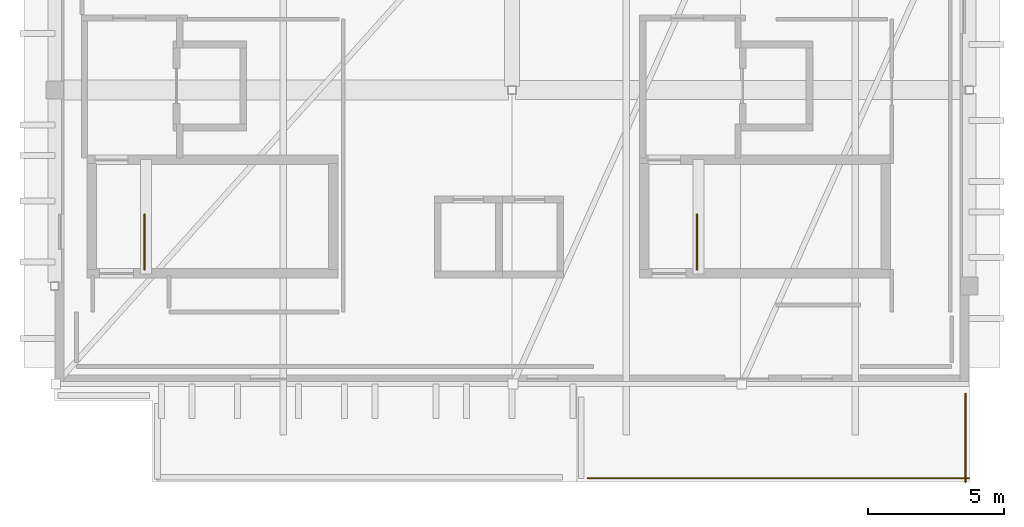
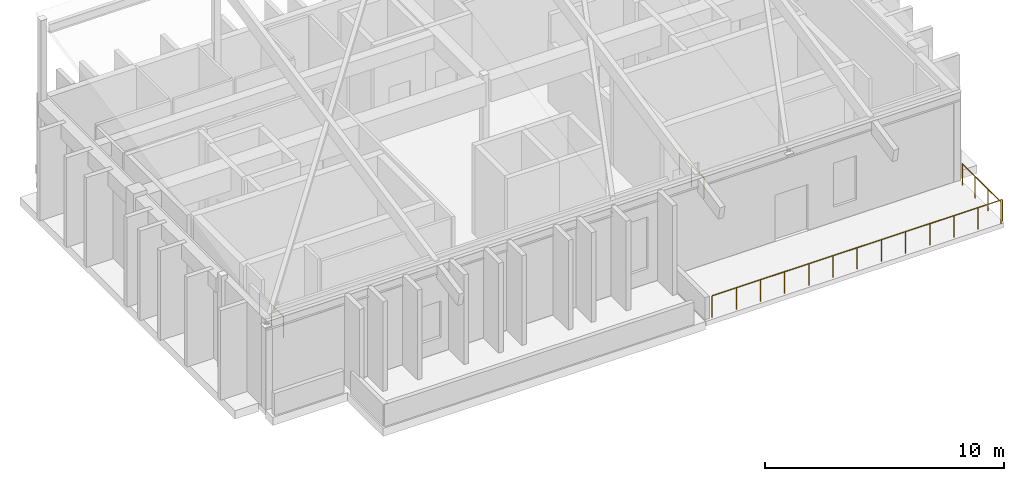
# One storey, part 5 of 5: 4 railings.
"""IFC4 building model written with IfcOpenShell, lengths in metres."""

from ifc_helpers import new_model, si_unit, direction, frame, origin, origin_2d, place, context, subcontext, project, spatial, circle, extrude, material, type_object, element, save


model = new_model("IFC4")

# Units and contexts
model_context = context("Model", 3, precision=1e-05, world=origin(), true_north=direction((0.0, 1.0)))
body_context = subcontext(model_context, "Body", "Model", "MODEL_VIEW")
ifc_project = project(units=[si_unit("LENGTHUNIT", "METRE"), si_unit("AREAUNIT", "SQUARE_METRE"), si_unit("VOLUMEUNIT", "CUBIC_METRE"), si_unit("PLANEANGLEUNIT", "RADIAN"), si_unit("MASSUNIT", "GRAM", prefix="KILO")], contexts=[model_context])

# Site, building, storey
site_placement = place(None, origin())
site = spatial("IfcSite", under=ifc_project, at=site_placement, CompositionType="ELEMENT")
building_placement = place(site_placement, origin())
building = spatial("IfcBuilding", under=site, at=building_placement, Name="Quendrovan Civic Courthouse", CompositionType="ELEMENT")
storey_placement = place(building_placement, frame((0.0, 0.0, 44.699951171875)))
storey = spatial("IfcBuildingStorey", under=building, at=storey_placement, Name="L10", CompositionType="ELEMENT", Elevation=44.699951171875)

# Railings
ifc_material_1 = material(Name="Bronze anodised aluminium", Category="aluminium")
railing_type_1 = type_object("IfcRailingType", Name="RL-EXT-GUARD1100", PredefinedType="GUARDRAIL", material=ifc_material_1)
railing_1_placement = place(storey_placement, frame((67.06005859375, 87.60009765625, 0.0)))
element("IfcRailing", 1, at=railing_1_placement, inside=storey, type_object=railing_type_1, Name="L10 Terrace Edge Guardrail 014", PredefinedType="GUARDRAIL", context=body_context, shape_type="SweptSolid", body=[
    extrude(circle(Radius=0.02392578125, at=origin_2d()), frame((0.0, 0.0, 1.09619140625), z_axis=(0.0, 1.0, 0.0), x_axis=(-1.0, 0.0, 0.0)), (0.0, 0.0, 1.0), 3.25),
    extrude(circle(Radius=0.02099609375, at=origin_2d()), origin(), (0.0, 0.0, 1.0), 1.072021484375),
    extrude(circle(Radius=0.02099609375, at=origin_2d()), frame((0.0, 1.083251953125, 0.0)), (0.0, 0.0, 1.0), 1.072021484375),
    extrude(circle(Radius=0.02099609375, at=origin_2d()), frame((0.0, 2.166748046875, 0.0)), (0.0, 0.0, 1.0), 1.072021484375),
    extrude(circle(Radius=0.02099609375, at=origin_2d()), frame((0.0, 3.25, 0.0)), (0.0, 0.0, 1.0), 1.072021484375),
])
railing_2_placement = place(storey_placement, frame((53.179931640625, 87.739990234375, 0.0)))
element("IfcRailing", 2, at=railing_2_placement, inside=storey, type_object=railing_type_1, Name="L10 Terrace Edge Guardrail 015", PredefinedType="GUARDRAIL", context=body_context, shape_type="SweptSolid", body=[
    extrude(circle(Radius=0.02392578125, at=origin_2d()), frame((0.0, 0.0, 1.09619140625), z_axis=(1.0, 0.0, 0.0), x_axis=(0.0, 1.0, 0.0)), (0.0, 0.0, 1.0), 14.02001953125),
    extrude(circle(Radius=0.02099609375, at=origin_2d()), origin(), (0.0, 0.0, 1.0), 1.072021484375),
    extrude(circle(Radius=0.02099609375, at=origin_2d()), frame((1.16845703125, 0.0, 0.0)), (0.0, 0.0, 1.0), 1.072021484375),
    extrude(circle(Radius=0.02099609375, at=origin_2d()), frame((2.336669921875, 0.0, 0.0)), (0.0, 0.0, 1.0), 1.072021484375),
    extrude(circle(Radius=0.02099609375, at=origin_2d()), frame((3.5048828125, 0.0, 0.0)), (0.0, 0.0, 1.0), 1.072021484375),
    extrude(circle(Radius=0.02099609375, at=origin_2d()), frame((4.67333984375, 0.0, 0.0)), (0.0, 0.0, 1.0), 1.072021484375),
    extrude(circle(Radius=0.02099609375, at=origin_2d()), frame((5.841796875, 0.0, 0.0)), (0.0, 0.0, 1.0), 1.072021484375),
    extrude(circle(Radius=0.02099609375, at=origin_2d()), frame((7.010009765625, 0.0, 0.0)), (0.0, 0.0, 1.0), 1.072021484375),
    extrude(circle(Radius=0.02099609375, at=origin_2d()), frame((8.17822265625, 0.0, 0.0)), (0.0, 0.0, 1.0), 1.072021484375),
    extrude(circle(Radius=0.02099609375, at=origin_2d()), frame((9.3466796875, 0.0, 0.0)), (0.0, 0.0, 1.0), 1.072021484375),
    extrude(circle(Radius=0.02099609375, at=origin_2d()), frame((10.51513671875, 0.0, 0.0)), (0.0, 0.0, 1.0), 1.072021484375),
    extrude(circle(Radius=0.02099609375, at=origin_2d()), frame((11.683349609375, 0.0, 0.0)), (0.0, 0.0, 1.0), 1.072021484375),
    extrude(circle(Radius=0.02099609375, at=origin_2d()), frame((12.8515625, 0.0, 0.0)), (0.0, 0.0, 1.0), 1.072021484375),
    extrude(circle(Radius=0.02099609375, at=origin_2d()), frame((14.02001953125, 0.0, 0.0)), (0.0, 0.0, 1.0), 1.072021484375),
])
ifc_material_2 = material(Name="Painted galvanized steel", Category="steel")
railing_type_2 = type_object("IfcRailingType", Name="RL-STR-GUARD1100", PredefinedType="GUARDRAIL", material=ifc_material_2)
for number, where, name in (
    (3, (36.89990234375, 95.39990234375, 0.0), "L10 ST1 top well guard 1"),
    (4, (57.199951171875, 95.39990234375, 0.0), "L10 ST2 top well guard 1"),
):
    element("IfcRailing", number, at=place(storey_placement, frame(where)), inside=storey, type_object=railing_type_2, Name=name, PredefinedType="GUARDRAIL", context=body_context, shape_type="SweptSolid", body=[
        extrude(circle(Radius=0.02392578125, at=origin_2d()), frame((0.0, 0.0, 1.076171875), z_axis=(0.0, 1.0, 0.0), x_axis=(-1.0, 0.0, 0.0)), (0.0, 0.0, 1.0), 2.030029296875),
        extrude(circle(Radius=0.02099609375, at=origin_2d()), origin(), (0.0, 0.0, 1.0), 1.052001953125),
        extrude(circle(Radius=0.02099609375, at=origin_2d()), frame((0.0, 1.01513671875, 0.0)), (0.0, 0.0, 1.0), 1.052001953125),
        extrude(circle(Radius=0.02099609375, at=origin_2d()), frame((0.0, 2.030029296875, 0.0)), (0.0, 0.0, 1.0), 1.052001953125),
    ])

save(model, "model.ifc")
